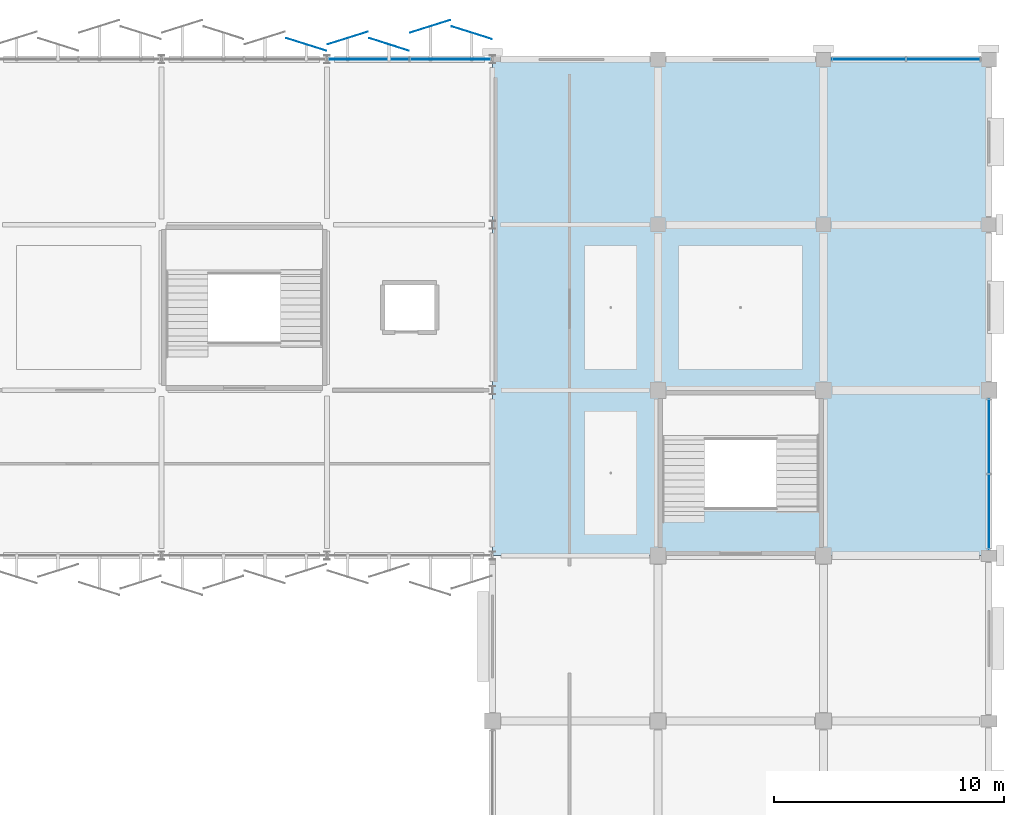
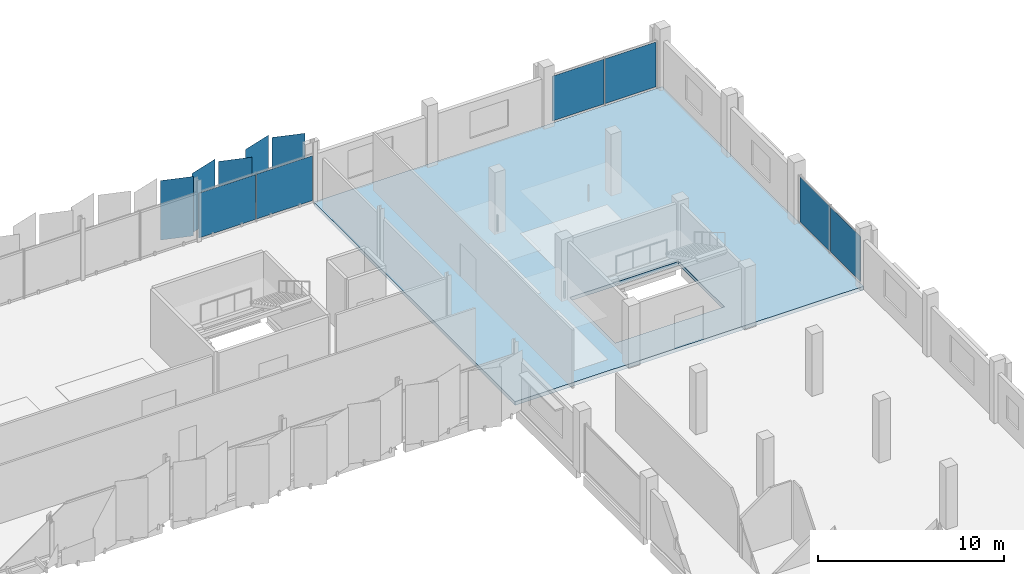
# One storey, part 63 of 91: 11 plates, 1 slab, 3 elements without a shape of their own.
"""IFC4 building model written with IfcOpenShell, lengths in metres."""

from ifc_helpers import new_model, si_unit, direction, frame, origin, origin_2d, place, context, subcontext, project, spatial, polyline, rectangle, outline, extrude, material, layer, layer_set, type_object, element, aggregate, save


model = new_model("IFC4")

# Units and contexts
model_context = context("Model", 3, precision=1e-05, world=origin(), true_north=direction((0.0, 1.0)))
body_context = subcontext(model_context, "Body", "Model", "MODEL_VIEW")
ifc_project = project(units=[si_unit("LENGTHUNIT", "METRE"), si_unit("AREAUNIT", "SQUARE_METRE"), si_unit("VOLUMEUNIT", "CUBIC_METRE"), si_unit("PLANEANGLEUNIT", "RADIAN"), si_unit("MASSUNIT", "GRAM", prefix="KILO")], contexts=[model_context])

# Site, building, storey
site_placement = place(None, origin())
site = spatial("IfcSite", under=ifc_project, at=site_placement, CompositionType="ELEMENT")
building_placement = place(site_placement, origin())
building = spatial("IfcBuilding", under=site, at=building_placement, Name="Kangsadwip Square Police Headquarters", CompositionType="ELEMENT")
storey_placement = place(building_placement, frame((0.0, 0.0, 13.5)))
storey = spatial("IfcBuildingStorey", under=building, at=storey_placement, Name="L03", CompositionType="ELEMENT", Elevation=13.5)

# Curtain wall, plates
ifc_material_1 = material(Name="Thermally broken anodised aluminium AW-6063-T6", Category="aluminium")
ifc_layer_1 = layer(ifc_material_1, 0.159912109375)
ifc_layer_set_1 = layer_set([ifc_layer_1], Name="Thermally broken anodised aluminium AW-6063-T6")
curtain_wall_type_1 = type_object("IfcCurtainWallType", Name="UnitisedCw7180x3200", PredefinedType="NOTDEFINED", material=ifc_layer_set_1)
curtain_wall_1_placement = place(storey_placement, origin())
curtain_wall_1 = element("IfcCurtainWall", 1, at=curtain_wall_1_placement, inside=storey, type_object=curtain_wall_type_1, Name="Curtain Wall CW-L03-1368-1152", PredefinedType="NOTDEFINED")
ifc_material_2 = material(Name="Double-glazed solar-control low-E safety glass", Category="glass")
ifc_layer_2 = layer(ifc_material_2, 0.028076171875)
ifc_layer_set_2 = layer_set([ifc_layer_2], Name="Double-glazed solar-control low-E safety glass")
plate_type_1 = type_object("IfcPlateType", Name="CwSolarVisionPanel28", PredefinedType="CURTAIN_PANEL", material=ifc_layer_set_2)
plate_1_placement = place(storey_placement, frame((138.621337890625, 115.199951171875, 0.130126953125), z_axis=(0.0, 0.0, 1.0), x_axis=(1.0, 0.0, 0.0)))
plate_1 = element("IfcPlate", 2, at=plate_1_placement, type_object=plate_type_1, Name="CW-38 panel 1.1", PredefinedType="CURTAIN_PANEL", context=body_context, shape_type="SweptSolid", body=[
    extrude(rectangle(XDim=3.492431640625, YDim=0.028076171875, at=origin_2d()), origin(), (0.0, 0.0, 1.0), 2.93994140625),
])
plate_2_placement = place(storey_placement, frame((142.1787109375, 115.199951171875, 0.130126953125), z_axis=(0.0, 0.0, 1.0), x_axis=(1.0, 0.0, 0.0)))
plate_2 = element("IfcPlate", 3, at=plate_2_placement, type_object=plate_type_1, Name="CW-38 panel 2.1", PredefinedType="CURTAIN_PANEL", context=body_context, shape_type="SweptSolid", body=[
    extrude(rectangle(XDim=3.492431640625, YDim=0.028076171875, at=origin_2d()), origin(), (0.0, 0.0, 1.0), 2.93994140625),
])
aggregate(curtain_wall_1, [plate_1, plate_2])

ifc_material_3 = material(Name="Thermally broken anodised aluminium AW-6063-T6", Category="aluminium")
ifc_layer_3 = layer(ifc_material_3, 0.159912109375)
ifc_layer_set_3 = layer_set([ifc_layer_3], Name="Thermally broken anodised aluminium AW-6063-T6")
curtain_wall_type_2 = type_object("IfcCurtainWallType", Name="UnitisedCw6560x3200", PredefinedType="NOTDEFINED", material=ifc_layer_set_3)
curtain_wall_2_placement = place(storey_placement, origin())
curtain_wall_2 = element("IfcCurtainWall", 4, at=curtain_wall_2_placement, inside=storey, type_object=curtain_wall_type_2, Name="Curtain Wall CW-L03-1587-1152", PredefinedType="NOTDEFINED")
plate_3_placement = place(storey_placement, frame((160.376220703125, 115.199951171875, 0.130126953125), z_axis=(0.0, 0.0, 1.0), x_axis=(1.0, 0.0, 0.0)))
plate_3 = element("IfcPlate", 5, at=plate_3_placement, type_object=plate_type_1, Name="CW-20 panel 1.1", PredefinedType="CURTAIN_PANEL", context=body_context, shape_type="SweptSolid", body=[
    extrude(rectangle(XDim=3.1826171875, YDim=0.028076171875, at=origin_2d()), origin(), (0.0, 0.0, 1.0), 2.93994140625),
])
plate_4_placement = place(storey_placement, frame((163.623779296875, 115.199951171875, 0.130126953125), z_axis=(0.0, 0.0, 1.0), x_axis=(1.0, 0.0, 0.0)))
plate_4 = element("IfcPlate", 6, at=plate_4_placement, type_object=plate_type_1, Name="CW-20 panel 2.1", PredefinedType="CURTAIN_PANEL", context=body_context, shape_type="SweptSolid", body=[
    extrude(rectangle(XDim=3.1826171875, YDim=0.028076171875, at=origin_2d()), origin(), (0.0, 0.0, 1.0), 2.93994140625),
])
aggregate(curtain_wall_2, [plate_3, plate_4])

ifc_material_4 = material(Name="Thermally broken anodised aluminium AW-6063-T6", Category="aluminium")
ifc_layer_4 = layer(ifc_material_4, 0.159912109375)
ifc_layer_set_4 = layer_set([ifc_layer_4], Name="Thermally broken anodised aluminium AW-6063-T6")
curtain_wall_type_3 = type_object("IfcCurtainWallType", Name="UnitisedCw6610x3200", PredefinedType="NOTDEFINED", material=ifc_layer_set_4)
curtain_wall_3_placement = place(storey_placement, origin())
curtain_wall_3 = element("IfcCurtainWall", 7, at=curtain_wall_3_placement, inside=storey, type_object=curtain_wall_type_3, Name="Curtain Wall CW-L03-1656-0938", PredefinedType="NOTDEFINED")
plate_5_placement = place(storey_placement, frame((165.60009765625, 95.513671875, 0.130126953125), z_axis=(0.0, 0.0, 1.0), x_axis=(0.0, 1.0, 0.0)))
plate_5 = element("IfcPlate", 8, at=plate_5_placement, type_object=plate_type_1, Name="CW-28 panel 1.1", PredefinedType="CURTAIN_PANEL", context=body_context, shape_type="SweptSolid", body=[
    extrude(rectangle(XDim=3.20751953125, YDim=0.028076171875, at=origin_2d()), origin(), (0.0, 0.0, 1.0), 2.93994140625),
])
plate_6_placement = place(storey_placement, frame((165.60009765625, 98.7861328125, 0.130126953125), z_axis=(0.0, 0.0, 1.0), x_axis=(0.0, 1.0, 0.0)))
plate_6 = element("IfcPlate", 9, at=plate_6_placement, type_object=plate_type_1, Name="CW-28 panel 2.1", PredefinedType="CURTAIN_PANEL", context=body_context, shape_type="SweptSolid", body=[
    extrude(rectangle(XDim=3.20751953125, YDim=0.028076171875, at=origin_2d()), origin(), (0.0, 0.0, 1.0), 2.93994140625),
])
aggregate(curtain_wall_3, [plate_5, plate_6])

# Slab
ifc_material_5 = material(Name="Concrete M35 (35 MPa)", Category="concrete")
ifc_layer_5 = layer(ifc_material_5, 0.239990234375)
ifc_layer_set_5 = layer_set([ifc_layer_5], Name="Concrete M35 (35 MPa)")
slab_type = type_object("IfcSlabType", Name="MainFloorSlab240", PredefinedType="FLOOR", material=ifc_layer_set_5)
slab_placement = place(storey_placement, frame((0.0, 0.0, -0.239990234375)))
element("IfcSlab", 10, at=slab_placement, inside=storey, type_object=slab_type, Name="L03 Vol6N Slab SL-L03-041", PredefinedType="FLOOR", context=body_context, shape_type="SweptSolid", body=[
    extrude(outline(polyline([(144.0, 93.60009765625), (144.0, 115.199951171875), (165.60009765625, 115.199951171875), (165.60009765625, 93.60009765625), (144.0, 93.60009765625)]), holes=[polyline([(151.419921875, 95.679931640625), (158.179931640625, 95.679931640625), (158.179931640625, 100.580078125), (151.419921875, 100.580078125), (151.419921875, 95.679931640625)])]), origin(), (0.0, 0.0, 1.0), 0.239990234375),
])

# Plates
ifc_material_6 = material(Name="PVDF-coated perforated marine-grade aluminium AW-5052-H32", Category="aluminium")
ifc_layer_6 = layer(ifc_material_6, 0.0048828125)
ifc_layer_set_6 = layer_set([ifc_layer_6], Name="PVDF-coated perforated marine-grade aluminium AW-5052-H32")
plate_type_2 = type_object("IfcPlateType", Name="PleatedVeilFacet5", PredefinedType="USERDEFINED", material=ifc_layer_set_6)
for number, where, z_axis, x_axis, name in (
    (11, (135.89990234375, 115.845458984375, 0.080078125), (0.0, 0.0, 1.0), (0.953716950748, -0.300705799504, 0.0), "Pleated Perforated Veil Facet PVF-L03-0136"),
    (12, (137.699951171875, 116.12548828125, 0.080078125), (0.0, 0.0, 1.0), (0.953716950748, 0.300705799504, 0.0), "Pleated Perforated Veil Facet PVF-L03-0137"),
    (13, (139.5, 115.845458984375, 0.080078125), (0.0, 0.0, 1.0), (0.953716950748, -0.300705799504, 0.0), "Pleated Perforated Veil Facet PVF-L03-0138"),
    (14, (141.300048828125, 116.634521484375, 0.080078125), (0.0, 0.0, 1.0), (0.953716950748, 0.300705799504, 0.0), "Pleated Perforated Veil Facet PVF-L03-0139"),
    (15, (143.10009765625, 116.3544921875, 0.080078125), (0.0, 0.0, 1.0), (0.953716950748, -0.300705799504, 0.0), "Pleated Perforated Veil Facet PVF-L03-0140"),
):
    element("IfcPlate", number, at=place(storey_placement, frame(where, z_axis=z_axis, x_axis=x_axis)), inside=storey, type_object=plate_type_2, Name=name, ObjectType="VEIL_FACET", PredefinedType="USERDEFINED", context=body_context, shape_type="SweptSolid", body=[
        extrude(rectangle(XDim=1.820068359375, YDim=0.0048828125, at=origin_2d()), origin(), (0.0, 0.0, 1.0), 3.89990234375),
    ])

save(model, "model.ifc")
